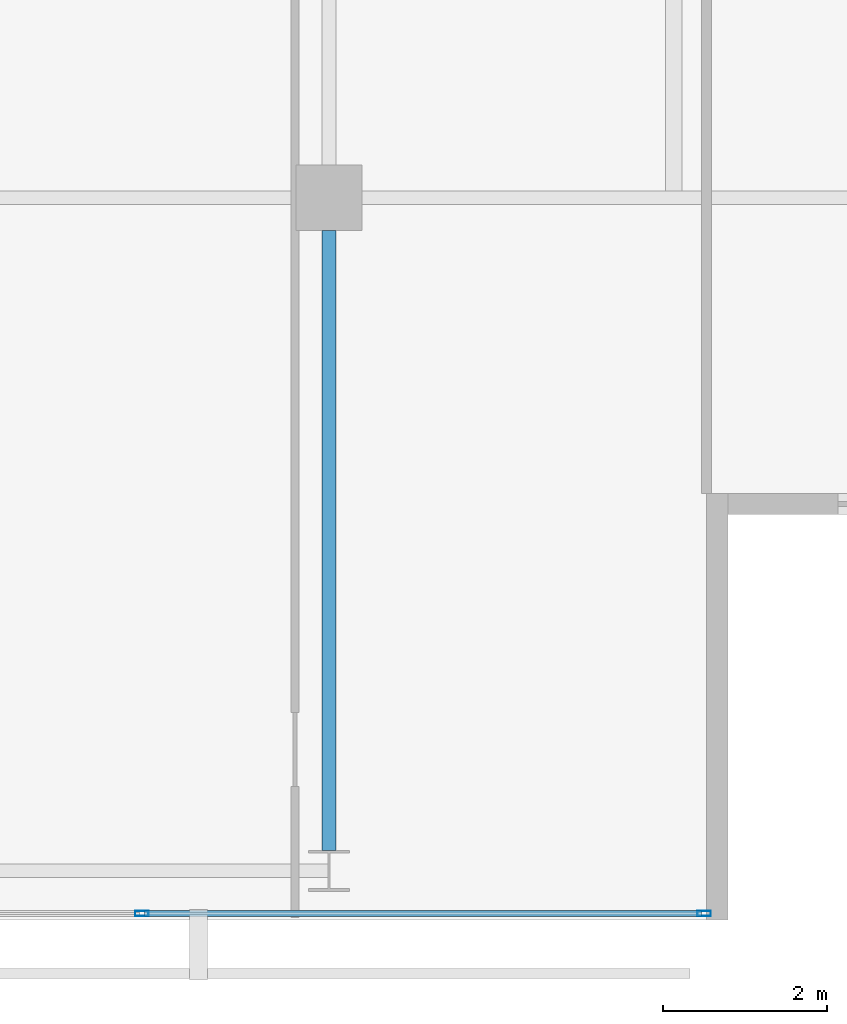
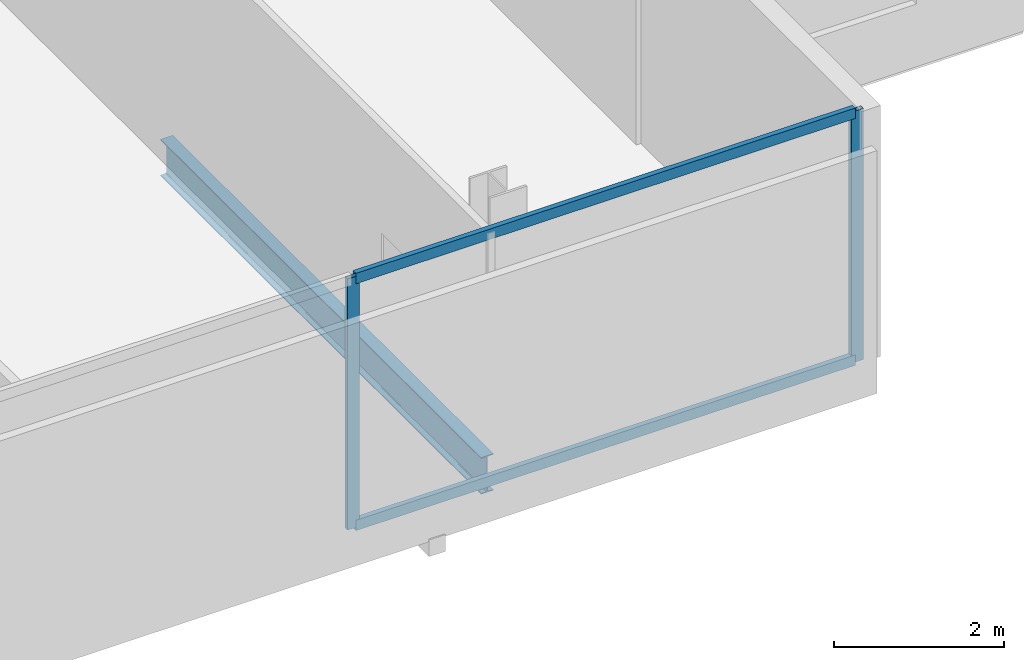
# One storey, part 10 of 26: 4 members, 1 beam, 1 element without a shape of its own.
"""IFC4 building model written with IfcOpenShell, lengths in metres."""

from ifc_helpers import new_model, si_unit, direction, frame, origin, origin_2d, place, context, subcontext, project, spatial, hollow_rectangle, i_section, extrude, material, layer, layer_set, material_profile, profile_set, type_object, element, aggregate, save


model = new_model("IFC4")

# Units and contexts
model_context = context("Model", 3, precision=1e-05, world=origin(), true_north=direction((0.0, 1.0)))
body_context = subcontext(model_context, "Body", "Model", "MODEL_VIEW")
ifc_project = project(units=[si_unit("LENGTHUNIT", "METRE"), si_unit("AREAUNIT", "SQUARE_METRE"), si_unit("VOLUMEUNIT", "CUBIC_METRE"), si_unit("PLANEANGLEUNIT", "RADIAN"), si_unit("MASSUNIT", "GRAM", prefix="KILO")], contexts=[model_context])

# Site, building, storey
site_placement = place(None, origin())
site = spatial("IfcSite", under=ifc_project, at=site_placement, CompositionType="ELEMENT")
building_placement = place(site_placement, origin())
building = spatial("IfcBuilding", under=site, at=building_placement, Name="Maruvema Waterfront Hotel and Observation Tower", CompositionType="ELEMENT")
storey_placement = place(building_placement, frame((0.0, 0.0, 301.0)))
storey = spatial("IfcBuildingStorey", under=building, at=storey_placement, Name="L74", CompositionType="ELEMENT", Elevation=301.0)

# Curtain wall, members
ifc_material_1 = material(Name="Anodised bronze aluminium and solar-control low-E IGU", Category="aluminium")
ifc_layer = layer(ifc_material_1, 0.159912109375, Name="Zone 3 Champagne Inner Thermal Curtain Wall System CW-04")
ifc_layer_set = layer_set([ifc_layer], Name="Anodised bronze aluminium and solar-control low-E IGU")
curtain_wall_type = type_object("IfcCurtainWallType", Name="Zone 3 Champagne Inner Thermal Curtain Wall System CW-04", PredefinedType="USERDEFINED", material=ifc_layer_set)
curtain_wall_placement = place(storey_placement, origin())
curtain_wall = element("IfcCurtainWall", 1, at=curtain_wall_placement, inside=storey, type_object=curtain_wall_type, Name="L74 Curtain Wall CW-L74-S", ObjectType="UNITISED CURTAIN WALL", PredefinedType="USERDEFINED")
ifc_material_2 = material(Name="Anodised architectural bronze aluminium", Category="aluminium")
ifc_material_profile_1 = material_profile(ifc_material_2, hollow_rectangle(XDim=0.070068359375, YDim=0.14990234375, WallThickness=0.00390625, at=origin_2d()), Name="ALU-T70x150")
ifc_profile_set_1 = profile_set([ifc_material_profile_1], Name="Anodised architectural bronze aluminium")
member_type_1 = type_object("IfcMemberType", Name="Curtain Wall Horizontal Transom ALU-T70x150", PredefinedType="USERDEFINED", material=ifc_profile_set_1)
member_1_placement = place(storey_placement, frame((48.14990234375, 9.280029296875, 0.030029296875), z_axis=(1.0, 0.0, 0.0), x_axis=(0.0, 1.0, 0.0)))
member_1 = element("IfcMember", 2, at=member_1_placement, type_object=member_type_1, Name="CW-04 transom 5.1", ObjectType="TRANSOM", PredefinedType="USERDEFINED", context=body_context, shape_type="SweptSolid", body=[
    extrude(hollow_rectangle(XDim=0.070068359375, YDim=0.14990234375, WallThickness=0.00390625, at=origin_2d()), origin(), (0.0, 0.0, 1.0), 6.7900390625),
])
member_2_placement = place(storey_placement, frame((48.14990234375, 9.280029296875, 3.580078125), z_axis=(1.0, 0.0, 0.0), x_axis=(0.0, 1.0, 0.0)))
member_2 = element("IfcMember", 3, at=member_2_placement, type_object=member_type_1, Name="CW-04 transom 5.2", ObjectType="TRANSOM", PredefinedType="USERDEFINED", context=body_context, shape_type="SweptSolid", body=[
    extrude(hollow_rectangle(XDim=0.070068359375, YDim=0.14990234375, WallThickness=0.00390625, at=origin_2d()), origin(), (0.0, 0.0, 1.0), 6.7900390625),
])
ifc_material_3 = material(Name="Anodised architectural bronze aluminium", Category="aluminium")
ifc_material_profile_2 = material_profile(ifc_material_3, hollow_rectangle(XDim=0.06494140625, YDim=0.1650390625, WallThickness=0.00390625, at=origin_2d()), Name="ALU-M65x165")
ifc_profile_set_2 = profile_set([ifc_material_profile_2], Name="Anodised architectural bronze aluminium")
member_type_2 = type_object("IfcMemberType", Name="Curtain Wall Primary Mullion ALU-M65x165", PredefinedType="MULLION", material=ifc_profile_set_2)
member_3_placement = place(storey_placement, frame((48.1201171875, 9.280029296875, 0.0), z_axis=(0.0, 0.0, 1.0), x_axis=(0.0, 1.0, 0.0)))
member_3 = element("IfcMember", 4, at=member_3_placement, type_object=member_type_2, Name="CW-04 mullion 5", PredefinedType="MULLION", context=body_context, shape_type="SweptSolid", body=[
    extrude(hollow_rectangle(XDim=0.06494140625, YDim=0.1650390625, WallThickness=0.00390625, at=origin_2d()), origin(), (0.0, 0.0, 1.0), 3.610107421875),
])
member_4_placement = place(storey_placement, frame((54.969970703125, 9.280029296875, 0.0), z_axis=(0.0, 0.0, 1.0), x_axis=(0.0, 1.0, 0.0)))
member_4 = element("IfcMember", 5, at=member_4_placement, type_object=member_type_2, Name="CW-04 mullion 6", PredefinedType="MULLION", context=body_context, shape_type="SweptSolid", body=[
    extrude(hollow_rectangle(XDim=0.06494140625, YDim=0.1650390625, WallThickness=0.00390625, at=origin_2d()), origin(), (0.0, 0.0, 1.0), 3.610107421875),
])
aggregate(curtain_wall, [member_3, member_4, member_1, member_2])

# Beam
ifc_material_4 = material(Name="Steel ASTM A572 Grade 50", Category="steel")
ifc_material_profile_3 = material_profile(ifc_material_4, i_section(OverallWidth=0.166015625, OverallDepth=0.529052734375, WebThickness=0.009765625, FlangeThickness=0.013671875, FilletRadius=0.014892578125, at=origin_2d()), Name="W530x74.0")
ifc_profile_set_3 = profile_set([ifc_material_profile_3], Name="Steel ASTM A572 Grade 50")
beam_type = type_object("IfcBeamType", Name="Primary Floor Girder W530x74.0", PredefinedType="BEAM", material=ifc_profile_set_3)
beam_placement = place(storey_placement, frame((50.39990234375, 10.050048828125, -0.50439453125), z_axis=(0.0, 1.0, 0.0), x_axis=(-1.0, 0.0, 0.0)))
element("IfcBeam", 6, at=beam_placement, inside=storey, type_object=beam_type, Name="L74 Floor Girder NS-12", PredefinedType="BEAM", context=body_context, shape_type="SweptSolid", body=[
    extrude(i_section(OverallWidth=0.166015625, OverallDepth=0.529052734375, WebThickness=0.009765625, FlangeThickness=0.013671875, FilletRadius=0.014892578125, at=origin_2d()), origin(), (0.0, 0.0, 1.0), 7.550048828125),
])

save(model, "model.ifc")
